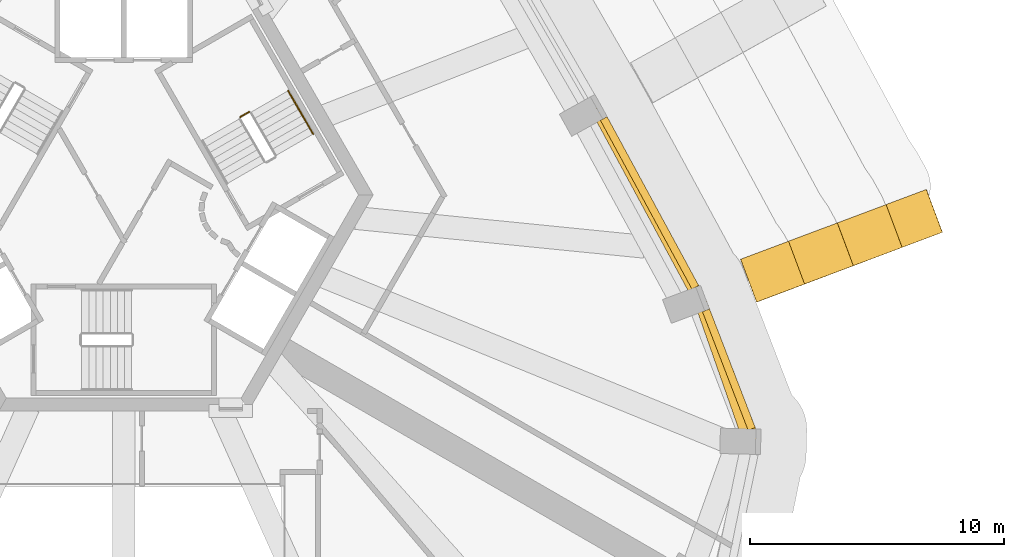
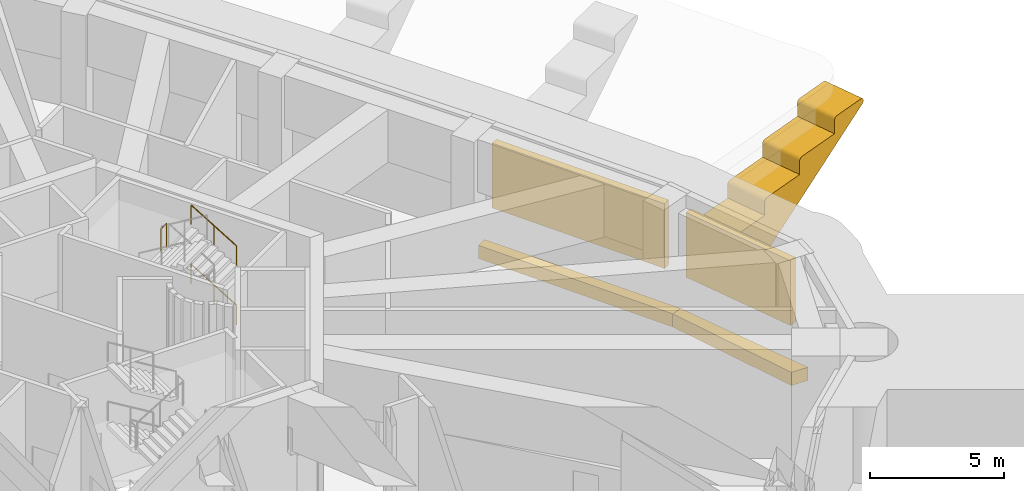
# One storey, part 12 of 15: 3 coverings, 3 railings, 2 shading devices.
"""IFC4 building model written with IfcOpenShell, lengths in metres."""

from ifc_helpers import new_model, si_unit, direction, frame, origin, origin_2d, place, context, subcontext, project, spatial, polyline, rectangle, circle, outline, extrude, material, layer, layer_set, type_object, element, save


model = new_model("IFC4")

# Units and contexts
model_context = context("Model", 3, precision=1e-05, world=origin(), true_north=direction((0.0, 1.0)))
body_context = subcontext(model_context, "Body", "Model", "MODEL_VIEW")
ifc_project = project(units=[si_unit("LENGTHUNIT", "METRE"), si_unit("AREAUNIT", "SQUARE_METRE"), si_unit("VOLUMEUNIT", "CUBIC_METRE"), si_unit("PLANEANGLEUNIT", "RADIAN"), si_unit("MASSUNIT", "GRAM", prefix="KILO")], contexts=[model_context])

# Site, building, storey
site_placement = place(None, origin())
site = spatial("IfcSite", under=ifc_project, at=site_placement, CompositionType="ELEMENT")
building_placement = place(site_placement, origin())
building = spatial("IfcBuilding", under=site, at=building_placement, Name="Entoto Arch Interchange Tower", CompositionType="ELEMENT")
storey_placement = place(building_placement, frame((0.0, 0.0, 326.0)))
storey = spatial("IfcBuildingStorey", under=building, at=storey_placement, Name="L77", CompositionType="ELEMENT", Elevation=326.0)

# Shading devices
ifc_material_1 = material(Name="Aluminium, anodised", Category="aluminium")
ifc_layer = layer(ifc_material_1, 0.300048828125)
ifc_layer_set = layer_set([ifc_layer], Name="Aluminium, anodised")
shading_device_type = type_object("IfcShadingDeviceType", Name="PLANT LOUVRE ALUMINIUM", PredefinedType="JALOUSIE", material=ifc_layer_set)
shading_device_1_placement = place(storey_placement, frame((23.80810546875, -4.3759765625, 1.2001953125), z_axis=(0.0, 0.0, 1.0), x_axis=(-0.35963855315, 0.933091694898, 0.0)))
element("IfcShadingDevice", 1, at=shading_device_1_placement, inside=storey, type_object=shading_device_type, Name="Plant louvre SE-04 L77", PredefinedType="JALOUSIE", context=body_context, shape_type="SweptSolid", body=[
    extrude(rectangle(XDim=5.0, YDim=0.300048828125, at=origin_2d()), origin(), (0.0, 0.0, 1.0), 2.949951171875),
])
shading_device_2_placement = place(storey_placement, frame((20.68798828125, 2.18408203125, 1.2001953125), z_axis=(0.0, 0.0, 1.0), x_axis=(-0.476775258546, 0.879025228784, 0.0)))
element("IfcShadingDevice", 2, at=shading_device_2_placement, inside=storey, type_object=shading_device_type, Name="Plant louvre NE-01 L77", PredefinedType="JALOUSIE", context=body_context, shape_type="SweptSolid", body=[
    extrude(rectangle(XDim=7.552978515625, YDim=0.300048828125, at=origin_2d()), origin(), (0.0, 0.0, 1.0), 2.949951171875),
])

# Coverings
ifc_material_2 = material(Name="Board-marked precast concrete C50/60", Category="concrete")
covering_type_1 = type_object("IfcCoveringType", Name="PRECAST FRAME COURSE", PredefinedType="CLADDING", material=ifc_material_2)
covering_1_placement = place(storey_placement, frame((25.743896484375, -1.408935546875, -0.574951171875), z_axis=(0.350760725748, -0.936460733862, 0.002864822324), x_axis=(-0.83925832346, -0.315706870332, -0.442690228633)))
element("IfcCovering", 3, at=covering_1_placement, inside=storey, type_object=covering_type_1, Name="Fold rib NE01 L77", PredefinedType="CLADDING", context=body_context, shape_type="SweptSolid", body=[
    extrude(outline(polyline([(0.0, 0.0), (0.0430204613919315, 0.0), (0.08484682202363203, -0.013844465249353104), (0.698549038212681, -0.3179187482026679), (0.7319864908077353, -0.3455923804548531), (0.7556175744178572, -0.3831228108514308), (0.7675453697529636, -0.425769653192718), (0.7672650094606532, -0.46919755855993345), (0.7539352746576299, -0.5116230054181428), (-0.2427137926610704, -2.5288596853549814), (-0.2679069943708312, -2.5654297422128725), (-0.2896148125924698, -2.5849359411455755), (-0.3153746754633123, -2.598900630394591), (-0.3573391483813997, -2.61167131129062), (-0.40220368323796585, -2.6107584211186894), (-0.44341068448462106, -2.596951480216466), (-2.120037895529683, -1.769193192631072), (-2.392904677973579, -2.3203379264338087), (-2.411300183816617, -2.3436556869628604), (-2.4448624863024264, -2.3706485343997663), (-2.486484726836705, -2.3868576362238088), (-2.530029474364533, -2.3909525963128093), (-2.559294897901927, -2.385488964900556), (-2.586495566439848, -2.37532671600151), (-4.290154397690694, -1.5342241965193033), (-4.563021180134591, -2.08536893032204), (-4.581493762850268, -2.108649368092328), (-4.614978988463438, -2.135679538287998), (-4.656601228997717, -2.1518886401120403), (-4.700223053398185, -2.155946277442277), (-4.729616297114565, -2.150418536547461), (-4.75661206860086, -2.140357719889741), (-6.460270899851706, -1.2992552004075342), (-6.733214759168243, -1.8503626114515073), (-6.751815162062906, -1.8735789397392328), (-6.785480874987649, -1.900523928382409), (-6.826717731158728, -1.916919644000271), (-6.8703395555591955, -1.920977281330508), (-6.8998098761482165, -1.9154122176769284), (-6.927010544686137, -1.9052499687778823), (-8.181284817538451, -1.2860099261921412), (-8.205891598017972, -1.2705937512982768), (-8.236675938024968, -1.2385152622483107), (-8.251454684183432, -1.2135195976218665), (-8.263895684060724, -1.1706220320041982), (-8.264424040165444, -1.141225205680155), (-8.259866673936028, -1.1124365973770933), (-8.2485204815403, -1.084549477687987), (-8.23371163601384, -1.0594595102626716), (-8.212699398812864, -1.0385226369971408), (-8.188637081647668, -1.0215415933935486), (-8.162104560883522, -1.0090449012361233), (-8.133122467926668, -1.0032058488439404), (0.0, 0.0)])), origin(), (0.0, 0.0, -1.0), 1.800048828125),
])
covering_type_2 = type_object("IfcCoveringType", Name="PRECAST LEDGE COURSE", PredefinedType="CLADDING", material=ifc_material_2)
covering_2_placement = place(storey_placement, frame((0.0, 0.0, -1.199951171875)))
element("IfcCovering", 4, at=covering_2_placement, inside=storey, type_object=covering_type_2, Name="Precast course SE-04 L77", PredefinedType="CLADDING", context=body_context, shape_type="SweptSolid", body=[
    extrude(outline(polyline([(22.43310546875, -1.68798828125), (22.8701171875, -1.52490234375), (25.06396484375, -7.216064453125), (24.365966796875, -7.198974609375), (22.43310546875, -1.68798828125)])), origin(), (0.0, 0.0, 1.0), 0.599853515625),
])
covering_3_placement = place(storey_placement, frame((0.0, 0.0, -1.199951171875)))
element("IfcCovering", 5, at=covering_3_placement, inside=storey, type_object=covering_type_2, Name="Precast course NE-01 L77", PredefinedType="CLADDING", context=body_context, shape_type="SweptSolid", body=[
    extrude(outline(polyline([(18.385986328125, 5.797119140625), (18.780029296875, 6.01611328125), (22.8701171875, -1.52490234375), (22.43310546875, -1.68798828125), (18.385986328125, 5.797119140625)])), origin(), (0.0, 0.0, 1.0), 0.599853515625),
])

# Railings
ifc_material_3 = material(Name="Stainless steel 1.4301", Category="steel")
railing_type_1 = type_object("IfcRailingType", Name="STAIR GUARD 1100 STEEL", PredefinedType="GUARDRAIL", material=ifc_material_3)
railing_placement = place(storey_placement, frame((4.929443359375, 5.76171875, 4.050048828125)))
element("IfcRailing", 6, at=railing_placement, inside=storey, type_object=railing_type_1, Name="L77 ST-NE stair guard 6", PredefinedType="GUARDRAIL", context=body_context, shape_type="SweptSolid", body=[
    extrude(circle(Radius=0.02392578125, at=origin_2d()), frame((0.0, 0.0, 1.076171875), z_axis=(-0.865941482684, -0.500145327446, 0.0), x_axis=(0.500145327446, -0.865941482684, 0.0)), (0.0, 0.0, 1.0), 0.39990234375),
    extrude(circle(Radius=0.02099609375, at=origin_2d()), origin(), (0.0, 0.0, 1.0), 1.052001953125),
    extrude(circle(Radius=0.02099609375, at=origin_2d()), frame((-0.34619140625, -0.199951171875, 0.0)), (0.0, 0.0, 1.0), 1.052001953125),
])
railing_type_2 = type_object("IfcRailingType", Name="STAIR HANDRAIL 900 STEEL", PredefinedType="HANDRAIL", material=ifc_material_3)
for number, where, name in (
    (7, (7.4501953125, 4.89599609375, 0.168701171875), "L77 ST-NE stair handrail 1"),
    (8, (7.4501953125, 4.89599609375, 2.86865234375), "L77 ST-NE stair handrail 3"),
):
    element("IfcRailing", number, at=place(storey_placement, frame(where)), inside=storey, type_object=railing_type_2, Name=name, PredefinedType="HANDRAIL", context=body_context, shape_type="SweptSolid", body=[
        extrude(circle(Radius=0.02392578125, at=origin_2d()), frame((0.0, 0.0, 0.8759765625), z_axis=(-0.428204578836, 0.741730552229, 0.516213741153), x_axis=(-0.866042469362, -0.499970440388, 0.0)), (0.0, 0.0, 1.0), 2.28857421875),
        extrude(circle(Radius=0.02099609375, at=origin_2d()), origin(), (0.0, 0.0, 1.0), 0.851806640625),
        extrude(circle(Radius=0.02099609375, at=origin_2d()), frame((-0.489990234375, 0.8486328125, 0.5908203125)), (0.0, 0.0, 1.0), 0.851806640625),
        extrude(circle(Radius=0.02099609375, at=origin_2d()), frame((-0.97998046875, 1.697509765625, 1.181396484375)), (0.0, 0.0, 1.0), 0.851806640625),
    ])

save(model, "model.ifc")
